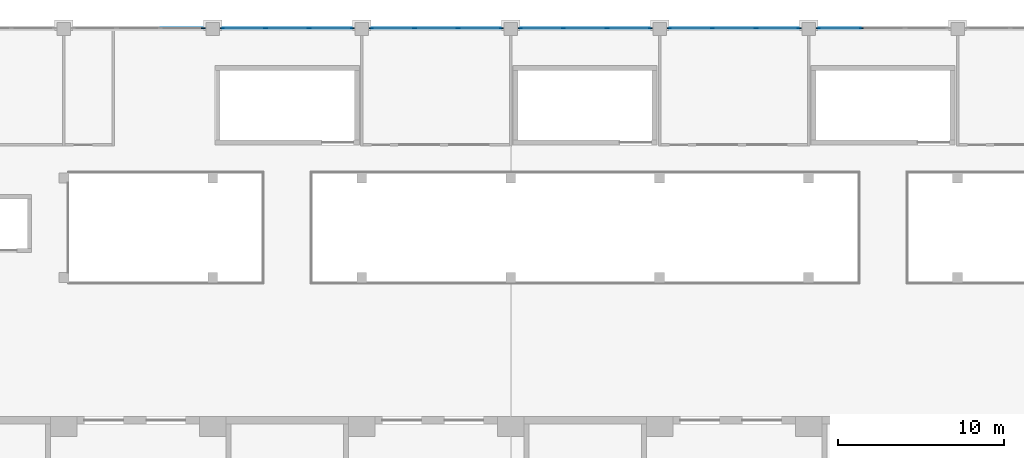
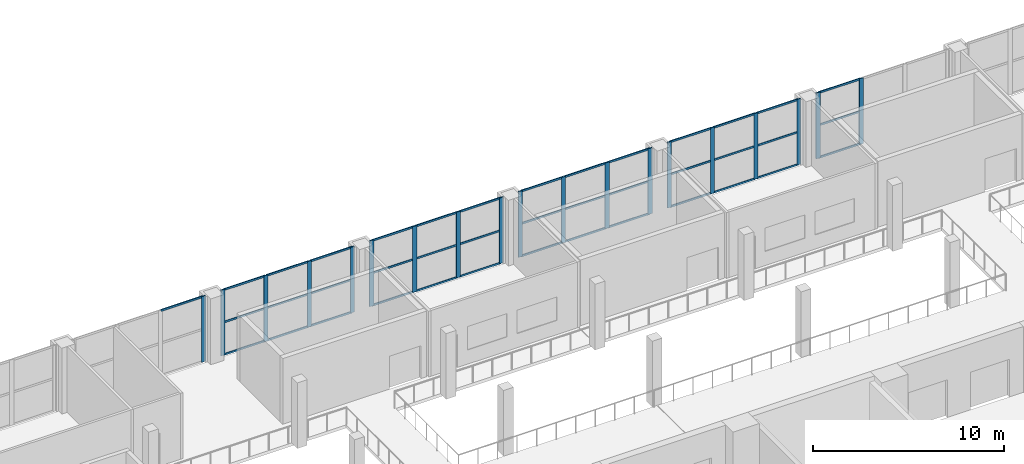
# One storey, part 4 of 39: 59 members, 6 elements without a shape of their own.
"""IFC4 building model written with IfcOpenShell, lengths in metres."""

from ifc_helpers import new_model, si_unit, direction, frame, origin, origin_2d, place, context, subcontext, project, spatial, rectangle, extrude, material, material_profile, profile_set, type_object, element, aggregate, save


model = new_model("IFC4")

# Units and contexts
model_context = context("Model", 3, precision=1e-05, world=origin(), true_north=direction((0.0, 1.0)))
body_context = subcontext(model_context, "Body", "Model", "MODEL_VIEW")
ifc_project = project(units=[si_unit("LENGTHUNIT", "METRE"), si_unit("AREAUNIT", "SQUARE_METRE"), si_unit("VOLUMEUNIT", "CUBIC_METRE"), si_unit("PLANEANGLEUNIT", "RADIAN"), si_unit("MASSUNIT", "GRAM", prefix="KILO")], contexts=[model_context])

# Site, building, storey
site_placement = place(None, origin())
site = spatial("IfcSite", under=ifc_project, at=site_placement, CompositionType="ELEMENT")
building_placement = place(site_placement, origin())
building = spatial("IfcBuilding", under=site, at=building_placement, Name="Aravalli Gate Trade Fair Centre", CompositionType="ELEMENT")
storey_placement = place(building_placement, frame((0.0, 0.0, 15.0)))
storey = spatial("IfcBuildingStorey", under=building, at=storey_placement, Name="L03", CompositionType="ELEMENT", Elevation=15.0)

# Curtain wall, member
ifc_material_1 = material(Name="Aluminium and glass", Category="aluminium")
curtain_wall_type = type_object("IfcCurtainWallType", Name="Curtain wall 3000 module, tall", PredefinedType="NOTDEFINED", material=ifc_material_1)
curtain_wall_1_placement = place(storey_placement, origin())
curtain_wall_1 = element("IfcCurtainWall", 1, at=curtain_wall_1_placement, inside=storey, type_object=curtain_wall_type, Name="Curtain wall north bay 3 L03", PredefinedType="NOTDEFINED")
ifc_material_2 = material(Name="Aluminium", Category="aluminium")
ifc_material_profile_1 = material_profile(ifc_material_2, rectangle(XDim=0.06005859375, YDim=0.25, at=origin_2d()), Name="Concourse curtain wall mullion 60 x 250")
ifc_profile_set_1 = profile_set([ifc_material_profile_1], Name="Aluminium")
member_type_1 = type_object("IfcMemberType", Name="Concourse curtain wall mullion 60 x 250", PredefinedType="MULLION", material=ifc_profile_set_1)
member_1_placement = place(storey_placement, frame((32.419921875, 133.044921875, 0.0), z_axis=(0.0, 0.0, 1.0), x_axis=(0.0, 1.0, 0.0)))
member_1 = element("IfcMember", 2, at=member_1_placement, type_object=member_type_1, Name="CW3 mullion 4", PredefinedType="MULLION", context=body_context, shape_type="SweptSolid", body=[
    extrude(rectangle(XDim=0.06005859375, YDim=0.25, at=origin_2d()), origin(), (0.0, 0.0, 1.0), 4.199951171875),
])

# Curtain wall, members
curtain_wall_2_placement = place(storey_placement, origin())
curtain_wall_2 = element("IfcCurtainWall", 3, at=curtain_wall_2_placement, inside=storey, type_object=curtain_wall_type, Name="Curtain wall north bay 4 L03", PredefinedType="NOTDEFINED")
member_2_placement = place(storey_placement, frame((33.580078125, 133.044921875, 0.0), z_axis=(0.0, 0.0, 1.0), x_axis=(0.0, 1.0, 0.0)))
member_2 = element("IfcMember", 4, at=member_2_placement, type_object=member_type_1, Name="CW3 mullion 1", PredefinedType="MULLION", context=body_context, shape_type="SweptSolid", body=[
    extrude(rectangle(XDim=0.06005859375, YDim=0.25, at=origin_2d()), origin(), (0.0, 0.0, 1.0), 4.199951171875),
])
member_3_placement = place(storey_placement, frame((36.183349609375, 133.044921875, 0.0), z_axis=(0.0, 0.0, 1.0), x_axis=(0.0, 1.0, 0.0)))
member_3 = element("IfcMember", 5, at=member_3_placement, type_object=member_type_1, Name="CW3 mullion 2", PredefinedType="MULLION", context=body_context, shape_type="SweptSolid", body=[
    extrude(rectangle(XDim=0.06005859375, YDim=0.25, at=origin_2d()), origin(), (0.0, 0.0, 1.0), 4.199951171875),
])
member_4_placement = place(storey_placement, frame((38.816650390625, 133.044921875, 0.0), z_axis=(0.0, 0.0, 1.0), x_axis=(0.0, 1.0, 0.0)))
member_4 = element("IfcMember", 6, at=member_4_placement, type_object=member_type_1, Name="CW3 mullion 3", PredefinedType="MULLION", context=body_context, shape_type="SweptSolid", body=[
    extrude(rectangle(XDim=0.06005859375, YDim=0.25, at=origin_2d()), origin(), (0.0, 0.0, 1.0), 4.199951171875),
])
member_5_placement = place(storey_placement, frame((41.419921875, 133.044921875, 0.0), z_axis=(0.0, 0.0, 1.0), x_axis=(0.0, 1.0, 0.0)))
member_5 = element("IfcMember", 7, at=member_5_placement, type_object=member_type_1, Name="CW3 mullion 4", PredefinedType="MULLION", context=body_context, shape_type="SweptSolid", body=[
    extrude(rectangle(XDim=0.06005859375, YDim=0.25, at=origin_2d()), origin(), (0.0, 0.0, 1.0), 4.199951171875),
])

curtain_wall_3_placement = place(storey_placement, origin())
curtain_wall_3 = element("IfcCurtainWall", 8, at=curtain_wall_3_placement, inside=storey, type_object=curtain_wall_type, Name="Curtain wall north bay 5 L03", PredefinedType="NOTDEFINED")
member_6_placement = place(storey_placement, frame((42.580078125, 133.044921875, 0.0), z_axis=(0.0, 0.0, 1.0), x_axis=(0.0, 1.0, 0.0)))
member_6 = element("IfcMember", 9, at=member_6_placement, type_object=member_type_1, Name="CW3 mullion 1", PredefinedType="MULLION", context=body_context, shape_type="SweptSolid", body=[
    extrude(rectangle(XDim=0.06005859375, YDim=0.25, at=origin_2d()), origin(), (0.0, 0.0, 1.0), 4.199951171875),
])
member_7_placement = place(storey_placement, frame((45.183349609375, 133.044921875, 0.0), z_axis=(0.0, 0.0, 1.0), x_axis=(0.0, 1.0, 0.0)))
member_7 = element("IfcMember", 10, at=member_7_placement, type_object=member_type_1, Name="CW3 mullion 2", PredefinedType="MULLION", context=body_context, shape_type="SweptSolid", body=[
    extrude(rectangle(XDim=0.06005859375, YDim=0.25, at=origin_2d()), origin(), (0.0, 0.0, 1.0), 4.199951171875),
])
member_8_placement = place(storey_placement, frame((47.816650390625, 133.044921875, 0.0), z_axis=(0.0, 0.0, 1.0), x_axis=(0.0, 1.0, 0.0)))
member_8 = element("IfcMember", 11, at=member_8_placement, type_object=member_type_1, Name="CW3 mullion 3", PredefinedType="MULLION", context=body_context, shape_type="SweptSolid", body=[
    extrude(rectangle(XDim=0.06005859375, YDim=0.25, at=origin_2d()), origin(), (0.0, 0.0, 1.0), 4.199951171875),
])
member_9_placement = place(storey_placement, frame((50.419921875, 133.044921875, 0.0), z_axis=(0.0, 0.0, 1.0), x_axis=(0.0, 1.0, 0.0)))
member_9 = element("IfcMember", 12, at=member_9_placement, type_object=member_type_1, Name="CW3 mullion 4", PredefinedType="MULLION", context=body_context, shape_type="SweptSolid", body=[
    extrude(rectangle(XDim=0.06005859375, YDim=0.25, at=origin_2d()), origin(), (0.0, 0.0, 1.0), 4.199951171875),
])

curtain_wall_4_placement = place(storey_placement, origin())
curtain_wall_4 = element("IfcCurtainWall", 13, at=curtain_wall_4_placement, inside=storey, type_object=curtain_wall_type, Name="Curtain wall north bay 6 L03", PredefinedType="NOTDEFINED")
member_10_placement = place(storey_placement, frame((51.580078125, 133.044921875, 0.0), z_axis=(0.0, 0.0, 1.0), x_axis=(0.0, 1.0, 0.0)))
member_10 = element("IfcMember", 14, at=member_10_placement, type_object=member_type_1, Name="CW3 mullion 1", PredefinedType="MULLION", context=body_context, shape_type="SweptSolid", body=[
    extrude(rectangle(XDim=0.06005859375, YDim=0.25, at=origin_2d()), origin(), (0.0, 0.0, 1.0), 4.199951171875),
])
member_11_placement = place(storey_placement, frame((54.183349609375, 133.044921875, 0.0), z_axis=(0.0, 0.0, 1.0), x_axis=(0.0, 1.0, 0.0)))
member_11 = element("IfcMember", 15, at=member_11_placement, type_object=member_type_1, Name="CW3 mullion 2", PredefinedType="MULLION", context=body_context, shape_type="SweptSolid", body=[
    extrude(rectangle(XDim=0.06005859375, YDim=0.25, at=origin_2d()), origin(), (0.0, 0.0, 1.0), 4.199951171875),
])
member_12_placement = place(storey_placement, frame((56.816650390625, 133.044921875, 0.0), z_axis=(0.0, 0.0, 1.0), x_axis=(0.0, 1.0, 0.0)))
member_12 = element("IfcMember", 16, at=member_12_placement, type_object=member_type_1, Name="CW3 mullion 3", PredefinedType="MULLION", context=body_context, shape_type="SweptSolid", body=[
    extrude(rectangle(XDim=0.06005859375, YDim=0.25, at=origin_2d()), origin(), (0.0, 0.0, 1.0), 4.199951171875),
])
member_13_placement = place(storey_placement, frame((59.419921875, 133.044921875, 0.0), z_axis=(0.0, 0.0, 1.0), x_axis=(0.0, 1.0, 0.0)))
member_13 = element("IfcMember", 17, at=member_13_placement, type_object=member_type_1, Name="CW3 mullion 4", PredefinedType="MULLION", context=body_context, shape_type="SweptSolid", body=[
    extrude(rectangle(XDim=0.06005859375, YDim=0.25, at=origin_2d()), origin(), (0.0, 0.0, 1.0), 4.199951171875),
])

curtain_wall_5_placement = place(storey_placement, origin())
curtain_wall_5 = element("IfcCurtainWall", 18, at=curtain_wall_5_placement, inside=storey, type_object=curtain_wall_type, Name="Curtain wall north bay 7 L03", PredefinedType="NOTDEFINED")
member_14_placement = place(storey_placement, frame((60.580078125, 133.044921875, 0.0), z_axis=(0.0, 0.0, 1.0), x_axis=(0.0, 1.0, 0.0)))
member_14 = element("IfcMember", 19, at=member_14_placement, type_object=member_type_1, Name="CW3 mullion 1", PredefinedType="MULLION", context=body_context, shape_type="SweptSolid", body=[
    extrude(rectangle(XDim=0.06005859375, YDim=0.25, at=origin_2d()), origin(), (0.0, 0.0, 1.0), 4.199951171875),
])
member_15_placement = place(storey_placement, frame((63.183349609375, 133.044921875, 0.0), z_axis=(0.0, 0.0, 1.0), x_axis=(0.0, 1.0, 0.0)))
member_15 = element("IfcMember", 20, at=member_15_placement, type_object=member_type_1, Name="CW3 mullion 2", PredefinedType="MULLION", context=body_context, shape_type="SweptSolid", body=[
    extrude(rectangle(XDim=0.06005859375, YDim=0.25, at=origin_2d()), origin(), (0.0, 0.0, 1.0), 4.199951171875),
])
member_16_placement = place(storey_placement, frame((65.816650390625, 133.044921875, 0.0), z_axis=(0.0, 0.0, 1.0), x_axis=(0.0, 1.0, 0.0)))
member_16 = element("IfcMember", 21, at=member_16_placement, type_object=member_type_1, Name="CW3 mullion 3", PredefinedType="MULLION", context=body_context, shape_type="SweptSolid", body=[
    extrude(rectangle(XDim=0.06005859375, YDim=0.25, at=origin_2d()), origin(), (0.0, 0.0, 1.0), 4.199951171875),
])
member_17_placement = place(storey_placement, frame((68.419921875, 133.044921875, 0.0), z_axis=(0.0, 0.0, 1.0), x_axis=(0.0, 1.0, 0.0)))
member_17 = element("IfcMember", 22, at=member_17_placement, type_object=member_type_1, Name="CW3 mullion 4", PredefinedType="MULLION", context=body_context, shape_type="SweptSolid", body=[
    extrude(rectangle(XDim=0.06005859375, YDim=0.25, at=origin_2d()), origin(), (0.0, 0.0, 1.0), 4.199951171875),
])

curtain_wall_6_placement = place(storey_placement, origin())
curtain_wall_6 = element("IfcCurtainWall", 23, at=curtain_wall_6_placement, inside=storey, type_object=curtain_wall_type, Name="Curtain wall north bay 8 L03", PredefinedType="NOTDEFINED")
member_18_placement = place(storey_placement, frame((69.580078125, 133.044921875, 0.0), z_axis=(0.0, 0.0, 1.0), x_axis=(0.0, 1.0, 0.0)))
member_18 = element("IfcMember", 24, at=member_18_placement, type_object=member_type_1, Name="CW3 mullion 1", PredefinedType="MULLION", context=body_context, shape_type="SweptSolid", body=[
    extrude(rectangle(XDim=0.06005859375, YDim=0.25, at=origin_2d()), origin(), (0.0, 0.0, 1.0), 4.199951171875),
])
member_19_placement = place(storey_placement, frame((72.183349609375, 133.044921875, 0.0), z_axis=(0.0, 0.0, 1.0), x_axis=(0.0, 1.0, 0.0)))
member_19 = element("IfcMember", 25, at=member_19_placement, type_object=member_type_1, Name="CW3 mullion 2", PredefinedType="MULLION", context=body_context, shape_type="SweptSolid", body=[
    extrude(rectangle(XDim=0.06005859375, YDim=0.25, at=origin_2d()), origin(), (0.0, 0.0, 1.0), 4.199951171875),
])

# Member
ifc_material_profile_2 = material_profile(ifc_material_2, rectangle(XDim=0.06005859375, YDim=0.1201171875, at=origin_2d()), Name="Concourse curtain wall transom 60 x 120")
ifc_profile_set_2 = profile_set([ifc_material_profile_2], Name="Aluminium")
member_type_2 = type_object("IfcMemberType", Name="Concourse curtain wall transom 60 x 120", PredefinedType="USERDEFINED", material=ifc_profile_set_2)
member_20_placement = place(storey_placement, frame((29.8466796875, 133.044921875, 4.169921875), z_axis=(1.0, 0.0, 0.0), x_axis=(0.0, 1.0, 0.0)))
member_20 = element("IfcMember", 26, at=member_20_placement, type_object=member_type_2, Name="CW3 transom 3.3", ObjectType="TRANSOM", PredefinedType="USERDEFINED", context=body_context, shape_type="SweptSolid", body=[
    extrude(rectangle(XDim=0.06005859375, YDim=0.1201171875, at=origin_2d()), origin(), (0.0, 0.0, 1.0), 2.543212890625),
])

aggregate(curtain_wall_1, [member_1, member_20])

member_21_placement = place(storey_placement, frame((33.610107421875, 133.044921875, 0.030029296875), z_axis=(1.0, 0.0, 0.0), x_axis=(0.0, 1.0, 0.0)))
member_21 = element("IfcMember", 27, at=member_21_placement, type_object=member_type_2, Name="CW3 transom 1.1", ObjectType="TRANSOM", PredefinedType="USERDEFINED", context=body_context, shape_type="SweptSolid", body=[
    extrude(rectangle(XDim=0.06005859375, YDim=0.1201171875, at=origin_2d()), origin(), (0.0, 0.0, 1.0), 2.543212890625),
])

member_22_placement = place(storey_placement, frame((33.610107421875, 133.044921875, 2.10009765625), z_axis=(1.0, 0.0, 0.0), x_axis=(0.0, 1.0, 0.0)))
member_22 = element("IfcMember", 28, at=member_22_placement, type_object=member_type_2, Name="CW3 transom 1.2", ObjectType="TRANSOM", PredefinedType="USERDEFINED", context=body_context, shape_type="SweptSolid", body=[
    extrude(rectangle(XDim=0.06005859375, YDim=0.1201171875, at=origin_2d()), origin(), (0.0, 0.0, 1.0), 2.543212890625),
])

member_23_placement = place(storey_placement, frame((33.610107421875, 133.044921875, 4.169921875), z_axis=(1.0, 0.0, 0.0), x_axis=(0.0, 1.0, 0.0)))
member_23 = element("IfcMember", 29, at=member_23_placement, type_object=member_type_2, Name="CW3 transom 1.3", ObjectType="TRANSOM", PredefinedType="USERDEFINED", context=body_context, shape_type="SweptSolid", body=[
    extrude(rectangle(XDim=0.06005859375, YDim=0.1201171875, at=origin_2d()), origin(), (0.0, 0.0, 1.0), 2.543212890625),
])

member_24_placement = place(storey_placement, frame((36.21337890625, 133.044921875, 0.030029296875), z_axis=(1.0, 0.0, 0.0), x_axis=(0.0, 1.0, 0.0)))
member_24 = element("IfcMember", 30, at=member_24_placement, type_object=member_type_2, Name="CW3 transom 2.1", ObjectType="TRANSOM", PredefinedType="USERDEFINED", context=body_context, shape_type="SweptSolid", body=[
    extrude(rectangle(XDim=0.06005859375, YDim=0.1201171875, at=origin_2d()), origin(), (0.0, 0.0, 1.0), 2.5732421875),
])

member_25_placement = place(storey_placement, frame((36.21337890625, 133.044921875, 2.10009765625), z_axis=(1.0, 0.0, 0.0), x_axis=(0.0, 1.0, 0.0)))
member_25 = element("IfcMember", 31, at=member_25_placement, type_object=member_type_2, Name="CW3 transom 2.2", ObjectType="TRANSOM", PredefinedType="USERDEFINED", context=body_context, shape_type="SweptSolid", body=[
    extrude(rectangle(XDim=0.06005859375, YDim=0.1201171875, at=origin_2d()), origin(), (0.0, 0.0, 1.0), 2.5732421875),
])

member_26_placement = place(storey_placement, frame((36.21337890625, 133.044921875, 4.169921875), z_axis=(1.0, 0.0, 0.0), x_axis=(0.0, 1.0, 0.0)))
member_26 = element("IfcMember", 32, at=member_26_placement, type_object=member_type_2, Name="CW3 transom 2.3", ObjectType="TRANSOM", PredefinedType="USERDEFINED", context=body_context, shape_type="SweptSolid", body=[
    extrude(rectangle(XDim=0.06005859375, YDim=0.1201171875, at=origin_2d()), origin(), (0.0, 0.0, 1.0), 2.5732421875),
])

member_27_placement = place(storey_placement, frame((38.8466796875, 133.044921875, 0.030029296875), z_axis=(1.0, 0.0, 0.0), x_axis=(0.0, 1.0, 0.0)))
member_27 = element("IfcMember", 33, at=member_27_placement, type_object=member_type_2, Name="CW3 transom 3.1", ObjectType="TRANSOM", PredefinedType="USERDEFINED", context=body_context, shape_type="SweptSolid", body=[
    extrude(rectangle(XDim=0.06005859375, YDim=0.1201171875, at=origin_2d()), origin(), (0.0, 0.0, 1.0), 2.543212890625),
])

member_28_placement = place(storey_placement, frame((38.8466796875, 133.044921875, 2.10009765625), z_axis=(1.0, 0.0, 0.0), x_axis=(0.0, 1.0, 0.0)))
member_28 = element("IfcMember", 34, at=member_28_placement, type_object=member_type_2, Name="CW3 transom 3.2", ObjectType="TRANSOM", PredefinedType="USERDEFINED", context=body_context, shape_type="SweptSolid", body=[
    extrude(rectangle(XDim=0.06005859375, YDim=0.1201171875, at=origin_2d()), origin(), (0.0, 0.0, 1.0), 2.543212890625),
])

member_29_placement = place(storey_placement, frame((38.8466796875, 133.044921875, 4.169921875), z_axis=(1.0, 0.0, 0.0), x_axis=(0.0, 1.0, 0.0)))
member_29 = element("IfcMember", 35, at=member_29_placement, type_object=member_type_2, Name="CW3 transom 3.3", ObjectType="TRANSOM", PredefinedType="USERDEFINED", context=body_context, shape_type="SweptSolid", body=[
    extrude(rectangle(XDim=0.06005859375, YDim=0.1201171875, at=origin_2d()), origin(), (0.0, 0.0, 1.0), 2.543212890625),
])

aggregate(curtain_wall_2, [member_2, member_3, member_4, member_5, member_21, member_22, member_23, member_24, member_25, member_26, member_27, member_28, member_29])

member_30_placement = place(storey_placement, frame((42.610107421875, 133.044921875, 0.030029296875), z_axis=(1.0, 0.0, 0.0), x_axis=(0.0, 1.0, 0.0)))
member_30 = element("IfcMember", 36, at=member_30_placement, type_object=member_type_2, Name="CW3 transom 1.1", ObjectType="TRANSOM", PredefinedType="USERDEFINED", context=body_context, shape_type="SweptSolid", body=[
    extrude(rectangle(XDim=0.06005859375, YDim=0.1201171875, at=origin_2d()), origin(), (0.0, 0.0, 1.0), 2.543212890625),
])

member_31_placement = place(storey_placement, frame((42.610107421875, 133.044921875, 2.10009765625), z_axis=(1.0, 0.0, 0.0), x_axis=(0.0, 1.0, 0.0)))
member_31 = element("IfcMember", 37, at=member_31_placement, type_object=member_type_2, Name="CW3 transom 1.2", ObjectType="TRANSOM", PredefinedType="USERDEFINED", context=body_context, shape_type="SweptSolid", body=[
    extrude(rectangle(XDim=0.06005859375, YDim=0.1201171875, at=origin_2d()), origin(), (0.0, 0.0, 1.0), 2.543212890625),
])

member_32_placement = place(storey_placement, frame((42.610107421875, 133.044921875, 4.169921875), z_axis=(1.0, 0.0, 0.0), x_axis=(0.0, 1.0, 0.0)))
member_32 = element("IfcMember", 38, at=member_32_placement, type_object=member_type_2, Name="CW3 transom 1.3", ObjectType="TRANSOM", PredefinedType="USERDEFINED", context=body_context, shape_type="SweptSolid", body=[
    extrude(rectangle(XDim=0.06005859375, YDim=0.1201171875, at=origin_2d()), origin(), (0.0, 0.0, 1.0), 2.543212890625),
])

member_33_placement = place(storey_placement, frame((45.21337890625, 133.044921875, 0.030029296875), z_axis=(1.0, 0.0, 0.0), x_axis=(0.0, 1.0, 0.0)))
member_33 = element("IfcMember", 39, at=member_33_placement, type_object=member_type_2, Name="CW3 transom 2.1", ObjectType="TRANSOM", PredefinedType="USERDEFINED", context=body_context, shape_type="SweptSolid", body=[
    extrude(rectangle(XDim=0.06005859375, YDim=0.1201171875, at=origin_2d()), origin(), (0.0, 0.0, 1.0), 2.5732421875),
])

member_34_placement = place(storey_placement, frame((45.21337890625, 133.044921875, 2.10009765625), z_axis=(1.0, 0.0, 0.0), x_axis=(0.0, 1.0, 0.0)))
member_34 = element("IfcMember", 40, at=member_34_placement, type_object=member_type_2, Name="CW3 transom 2.2", ObjectType="TRANSOM", PredefinedType="USERDEFINED", context=body_context, shape_type="SweptSolid", body=[
    extrude(rectangle(XDim=0.06005859375, YDim=0.1201171875, at=origin_2d()), origin(), (0.0, 0.0, 1.0), 2.5732421875),
])

member_35_placement = place(storey_placement, frame((45.21337890625, 133.044921875, 4.169921875), z_axis=(1.0, 0.0, 0.0), x_axis=(0.0, 1.0, 0.0)))
member_35 = element("IfcMember", 41, at=member_35_placement, type_object=member_type_2, Name="CW3 transom 2.3", ObjectType="TRANSOM", PredefinedType="USERDEFINED", context=body_context, shape_type="SweptSolid", body=[
    extrude(rectangle(XDim=0.06005859375, YDim=0.1201171875, at=origin_2d()), origin(), (0.0, 0.0, 1.0), 2.5732421875),
])

member_36_placement = place(storey_placement, frame((47.8466796875, 133.044921875, 0.030029296875), z_axis=(1.0, 0.0, 0.0), x_axis=(0.0, 1.0, 0.0)))
member_36 = element("IfcMember", 42, at=member_36_placement, type_object=member_type_2, Name="CW3 transom 3.1", ObjectType="TRANSOM", PredefinedType="USERDEFINED", context=body_context, shape_type="SweptSolid", body=[
    extrude(rectangle(XDim=0.06005859375, YDim=0.1201171875, at=origin_2d()), origin(), (0.0, 0.0, 1.0), 2.543212890625),
])

member_37_placement = place(storey_placement, frame((47.8466796875, 133.044921875, 2.10009765625), z_axis=(1.0, 0.0, 0.0), x_axis=(0.0, 1.0, 0.0)))
member_37 = element("IfcMember", 43, at=member_37_placement, type_object=member_type_2, Name="CW3 transom 3.2", ObjectType="TRANSOM", PredefinedType="USERDEFINED", context=body_context, shape_type="SweptSolid", body=[
    extrude(rectangle(XDim=0.06005859375, YDim=0.1201171875, at=origin_2d()), origin(), (0.0, 0.0, 1.0), 2.543212890625),
])

member_38_placement = place(storey_placement, frame((47.8466796875, 133.044921875, 4.169921875), z_axis=(1.0, 0.0, 0.0), x_axis=(0.0, 1.0, 0.0)))
member_38 = element("IfcMember", 44, at=member_38_placement, type_object=member_type_2, Name="CW3 transom 3.3", ObjectType="TRANSOM", PredefinedType="USERDEFINED", context=body_context, shape_type="SweptSolid", body=[
    extrude(rectangle(XDim=0.06005859375, YDim=0.1201171875, at=origin_2d()), origin(), (0.0, 0.0, 1.0), 2.543212890625),
])

aggregate(curtain_wall_3, [member_6, member_7, member_8, member_9, member_30, member_31, member_32, member_33, member_34, member_35, member_36, member_37, member_38])

member_39_placement = place(storey_placement, frame((51.610107421875, 133.044921875, 0.030029296875), z_axis=(1.0, 0.0, 0.0), x_axis=(0.0, 1.0, 0.0)))
member_39 = element("IfcMember", 45, at=member_39_placement, type_object=member_type_2, Name="CW3 transom 1.1", ObjectType="TRANSOM", PredefinedType="USERDEFINED", context=body_context, shape_type="SweptSolid", body=[
    extrude(rectangle(XDim=0.06005859375, YDim=0.1201171875, at=origin_2d()), origin(), (0.0, 0.0, 1.0), 2.543212890625),
])

member_40_placement = place(storey_placement, frame((51.610107421875, 133.044921875, 2.10009765625), z_axis=(1.0, 0.0, 0.0), x_axis=(0.0, 1.0, 0.0)))
member_40 = element("IfcMember", 46, at=member_40_placement, type_object=member_type_2, Name="CW3 transom 1.2", ObjectType="TRANSOM", PredefinedType="USERDEFINED", context=body_context, shape_type="SweptSolid", body=[
    extrude(rectangle(XDim=0.06005859375, YDim=0.1201171875, at=origin_2d()), origin(), (0.0, 0.0, 1.0), 2.543212890625),
])

member_41_placement = place(storey_placement, frame((51.610107421875, 133.044921875, 4.169921875), z_axis=(1.0, 0.0, 0.0), x_axis=(0.0, 1.0, 0.0)))
member_41 = element("IfcMember", 47, at=member_41_placement, type_object=member_type_2, Name="CW3 transom 1.3", ObjectType="TRANSOM", PredefinedType="USERDEFINED", context=body_context, shape_type="SweptSolid", body=[
    extrude(rectangle(XDim=0.06005859375, YDim=0.1201171875, at=origin_2d()), origin(), (0.0, 0.0, 1.0), 2.543212890625),
])

member_42_placement = place(storey_placement, frame((54.21337890625, 133.044921875, 0.030029296875), z_axis=(1.0, 0.0, 0.0), x_axis=(0.0, 1.0, 0.0)))
member_42 = element("IfcMember", 48, at=member_42_placement, type_object=member_type_2, Name="CW3 transom 2.1", ObjectType="TRANSOM", PredefinedType="USERDEFINED", context=body_context, shape_type="SweptSolid", body=[
    extrude(rectangle(XDim=0.06005859375, YDim=0.1201171875, at=origin_2d()), origin(), (0.0, 0.0, 1.0), 2.5732421875),
])

member_43_placement = place(storey_placement, frame((54.21337890625, 133.044921875, 2.10009765625), z_axis=(1.0, 0.0, 0.0), x_axis=(0.0, 1.0, 0.0)))
member_43 = element("IfcMember", 49, at=member_43_placement, type_object=member_type_2, Name="CW3 transom 2.2", ObjectType="TRANSOM", PredefinedType="USERDEFINED", context=body_context, shape_type="SweptSolid", body=[
    extrude(rectangle(XDim=0.06005859375, YDim=0.1201171875, at=origin_2d()), origin(), (0.0, 0.0, 1.0), 2.5732421875),
])

member_44_placement = place(storey_placement, frame((54.21337890625, 133.044921875, 4.169921875), z_axis=(1.0, 0.0, 0.0), x_axis=(0.0, 1.0, 0.0)))
member_44 = element("IfcMember", 50, at=member_44_placement, type_object=member_type_2, Name="CW3 transom 2.3", ObjectType="TRANSOM", PredefinedType="USERDEFINED", context=body_context, shape_type="SweptSolid", body=[
    extrude(rectangle(XDim=0.06005859375, YDim=0.1201171875, at=origin_2d()), origin(), (0.0, 0.0, 1.0), 2.5732421875),
])

member_45_placement = place(storey_placement, frame((56.8466796875, 133.044921875, 0.030029296875), z_axis=(1.0, 0.0, 0.0), x_axis=(0.0, 1.0, 0.0)))
member_45 = element("IfcMember", 51, at=member_45_placement, type_object=member_type_2, Name="CW3 transom 3.1", ObjectType="TRANSOM", PredefinedType="USERDEFINED", context=body_context, shape_type="SweptSolid", body=[
    extrude(rectangle(XDim=0.06005859375, YDim=0.1201171875, at=origin_2d()), origin(), (0.0, 0.0, 1.0), 2.543212890625),
])

member_46_placement = place(storey_placement, frame((56.8466796875, 133.044921875, 2.10009765625), z_axis=(1.0, 0.0, 0.0), x_axis=(0.0, 1.0, 0.0)))
member_46 = element("IfcMember", 52, at=member_46_placement, type_object=member_type_2, Name="CW3 transom 3.2", ObjectType="TRANSOM", PredefinedType="USERDEFINED", context=body_context, shape_type="SweptSolid", body=[
    extrude(rectangle(XDim=0.06005859375, YDim=0.1201171875, at=origin_2d()), origin(), (0.0, 0.0, 1.0), 2.543212890625),
])

member_47_placement = place(storey_placement, frame((56.8466796875, 133.044921875, 4.169921875), z_axis=(1.0, 0.0, 0.0), x_axis=(0.0, 1.0, 0.0)))
member_47 = element("IfcMember", 53, at=member_47_placement, type_object=member_type_2, Name="CW3 transom 3.3", ObjectType="TRANSOM", PredefinedType="USERDEFINED", context=body_context, shape_type="SweptSolid", body=[
    extrude(rectangle(XDim=0.06005859375, YDim=0.1201171875, at=origin_2d()), origin(), (0.0, 0.0, 1.0), 2.543212890625),
])

aggregate(curtain_wall_4, [member_10, member_11, member_12, member_13, member_39, member_40, member_41, member_42, member_43, member_44, member_45, member_46, member_47])

member_48_placement = place(storey_placement, frame((60.610107421875, 133.044921875, 0.030029296875), z_axis=(1.0, 0.0, 0.0), x_axis=(0.0, 1.0, 0.0)))
member_48 = element("IfcMember", 54, at=member_48_placement, type_object=member_type_2, Name="CW3 transom 1.1", ObjectType="TRANSOM", PredefinedType="USERDEFINED", context=body_context, shape_type="SweptSolid", body=[
    extrude(rectangle(XDim=0.06005859375, YDim=0.1201171875, at=origin_2d()), origin(), (0.0, 0.0, 1.0), 2.543212890625),
])

member_49_placement = place(storey_placement, frame((60.610107421875, 133.044921875, 2.10009765625), z_axis=(1.0, 0.0, 0.0), x_axis=(0.0, 1.0, 0.0)))
member_49 = element("IfcMember", 55, at=member_49_placement, type_object=member_type_2, Name="CW3 transom 1.2", ObjectType="TRANSOM", PredefinedType="USERDEFINED", context=body_context, shape_type="SweptSolid", body=[
    extrude(rectangle(XDim=0.06005859375, YDim=0.1201171875, at=origin_2d()), origin(), (0.0, 0.0, 1.0), 2.543212890625),
])

member_50_placement = place(storey_placement, frame((60.610107421875, 133.044921875, 4.169921875), z_axis=(1.0, 0.0, 0.0), x_axis=(0.0, 1.0, 0.0)))
member_50 = element("IfcMember", 56, at=member_50_placement, type_object=member_type_2, Name="CW3 transom 1.3", ObjectType="TRANSOM", PredefinedType="USERDEFINED", context=body_context, shape_type="SweptSolid", body=[
    extrude(rectangle(XDim=0.06005859375, YDim=0.1201171875, at=origin_2d()), origin(), (0.0, 0.0, 1.0), 2.543212890625),
])

member_51_placement = place(storey_placement, frame((63.21337890625, 133.044921875, 0.030029296875), z_axis=(1.0, 0.0, 0.0), x_axis=(0.0, 1.0, 0.0)))
member_51 = element("IfcMember", 57, at=member_51_placement, type_object=member_type_2, Name="CW3 transom 2.1", ObjectType="TRANSOM", PredefinedType="USERDEFINED", context=body_context, shape_type="SweptSolid", body=[
    extrude(rectangle(XDim=0.06005859375, YDim=0.1201171875, at=origin_2d()), origin(), (0.0, 0.0, 1.0), 2.5732421875),
])

member_52_placement = place(storey_placement, frame((63.21337890625, 133.044921875, 2.10009765625), z_axis=(1.0, 0.0, 0.0), x_axis=(0.0, 1.0, 0.0)))
member_52 = element("IfcMember", 58, at=member_52_placement, type_object=member_type_2, Name="CW3 transom 2.2", ObjectType="TRANSOM", PredefinedType="USERDEFINED", context=body_context, shape_type="SweptSolid", body=[
    extrude(rectangle(XDim=0.06005859375, YDim=0.1201171875, at=origin_2d()), origin(), (0.0, 0.0, 1.0), 2.5732421875),
])

member_53_placement = place(storey_placement, frame((63.21337890625, 133.044921875, 4.169921875), z_axis=(1.0, 0.0, 0.0), x_axis=(0.0, 1.0, 0.0)))
member_53 = element("IfcMember", 59, at=member_53_placement, type_object=member_type_2, Name="CW3 transom 2.3", ObjectType="TRANSOM", PredefinedType="USERDEFINED", context=body_context, shape_type="SweptSolid", body=[
    extrude(rectangle(XDim=0.06005859375, YDim=0.1201171875, at=origin_2d()), origin(), (0.0, 0.0, 1.0), 2.5732421875),
])

member_54_placement = place(storey_placement, frame((65.8466796875, 133.044921875, 0.030029296875), z_axis=(1.0, 0.0, 0.0), x_axis=(0.0, 1.0, 0.0)))
member_54 = element("IfcMember", 60, at=member_54_placement, type_object=member_type_2, Name="CW3 transom 3.1", ObjectType="TRANSOM", PredefinedType="USERDEFINED", context=body_context, shape_type="SweptSolid", body=[
    extrude(rectangle(XDim=0.06005859375, YDim=0.1201171875, at=origin_2d()), origin(), (0.0, 0.0, 1.0), 2.543212890625),
])

member_55_placement = place(storey_placement, frame((65.8466796875, 133.044921875, 2.10009765625), z_axis=(1.0, 0.0, 0.0), x_axis=(0.0, 1.0, 0.0)))
member_55 = element("IfcMember", 61, at=member_55_placement, type_object=member_type_2, Name="CW3 transom 3.2", ObjectType="TRANSOM", PredefinedType="USERDEFINED", context=body_context, shape_type="SweptSolid", body=[
    extrude(rectangle(XDim=0.06005859375, YDim=0.1201171875, at=origin_2d()), origin(), (0.0, 0.0, 1.0), 2.543212890625),
])

member_56_placement = place(storey_placement, frame((65.8466796875, 133.044921875, 4.169921875), z_axis=(1.0, 0.0, 0.0), x_axis=(0.0, 1.0, 0.0)))
member_56 = element("IfcMember", 62, at=member_56_placement, type_object=member_type_2, Name="CW3 transom 3.3", ObjectType="TRANSOM", PredefinedType="USERDEFINED", context=body_context, shape_type="SweptSolid", body=[
    extrude(rectangle(XDim=0.06005859375, YDim=0.1201171875, at=origin_2d()), origin(), (0.0, 0.0, 1.0), 2.543212890625),
])

aggregate(curtain_wall_5, [member_14, member_15, member_16, member_17, member_48, member_49, member_50, member_51, member_52, member_53, member_54, member_55, member_56])

member_57_placement = place(storey_placement, frame((69.610107421875, 133.044921875, 0.030029296875), z_axis=(1.0, 0.0, 0.0), x_axis=(0.0, 1.0, 0.0)))
member_57 = element("IfcMember", 63, at=member_57_placement, type_object=member_type_2, Name="CW3 transom 1.1", ObjectType="TRANSOM", PredefinedType="USERDEFINED", context=body_context, shape_type="SweptSolid", body=[
    extrude(rectangle(XDim=0.06005859375, YDim=0.1201171875, at=origin_2d()), origin(), (0.0, 0.0, 1.0), 2.543212890625),
])

member_58_placement = place(storey_placement, frame((69.610107421875, 133.044921875, 2.10009765625), z_axis=(1.0, 0.0, 0.0), x_axis=(0.0, 1.0, 0.0)))
member_58 = element("IfcMember", 64, at=member_58_placement, type_object=member_type_2, Name="CW3 transom 1.2", ObjectType="TRANSOM", PredefinedType="USERDEFINED", context=body_context, shape_type="SweptSolid", body=[
    extrude(rectangle(XDim=0.06005859375, YDim=0.1201171875, at=origin_2d()), origin(), (0.0, 0.0, 1.0), 2.543212890625),
])

member_59_placement = place(storey_placement, frame((69.610107421875, 133.044921875, 4.169921875), z_axis=(1.0, 0.0, 0.0), x_axis=(0.0, 1.0, 0.0)))
member_59 = element("IfcMember", 65, at=member_59_placement, type_object=member_type_2, Name="CW3 transom 1.3", ObjectType="TRANSOM", PredefinedType="USERDEFINED", context=body_context, shape_type="SweptSolid", body=[
    extrude(rectangle(XDim=0.06005859375, YDim=0.1201171875, at=origin_2d()), origin(), (0.0, 0.0, 1.0), 2.543212890625),
])

aggregate(curtain_wall_6, [member_18, member_19, member_57, member_58, member_59])

save(model, "model.ifc")
